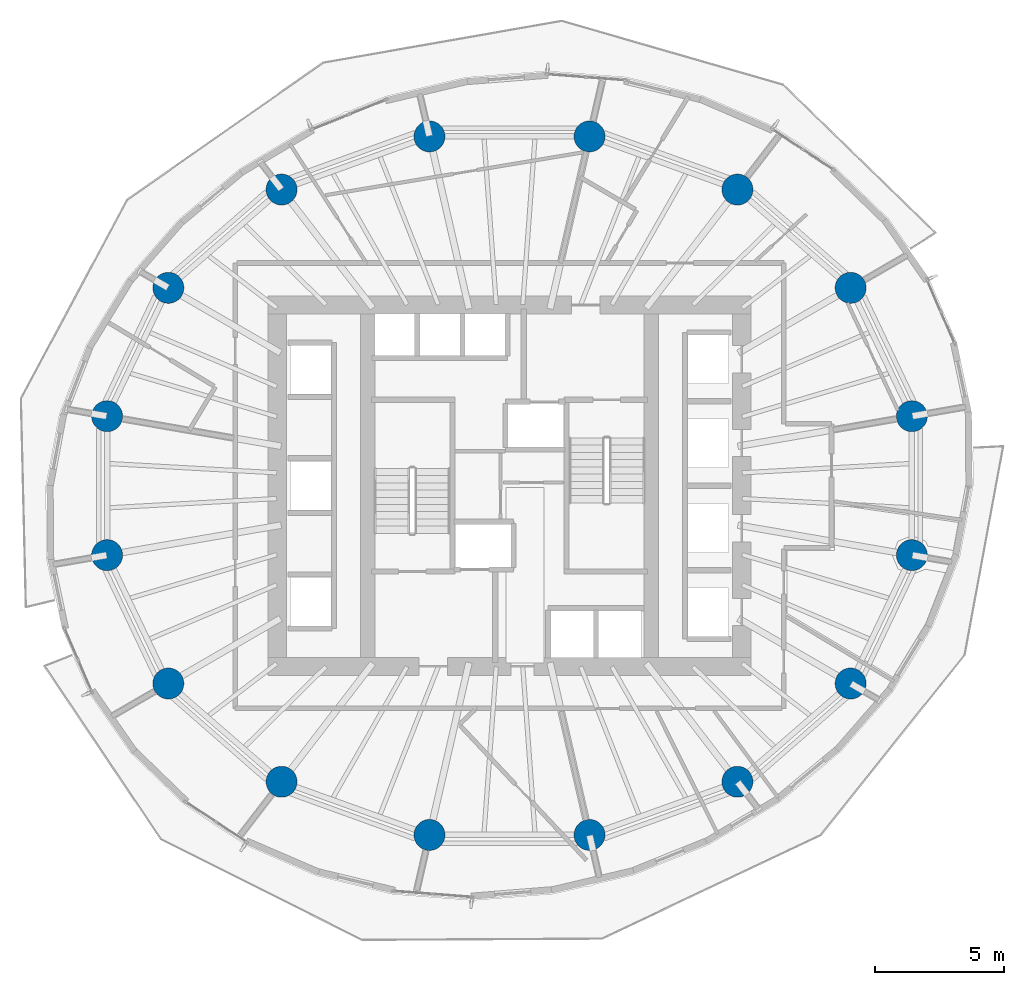
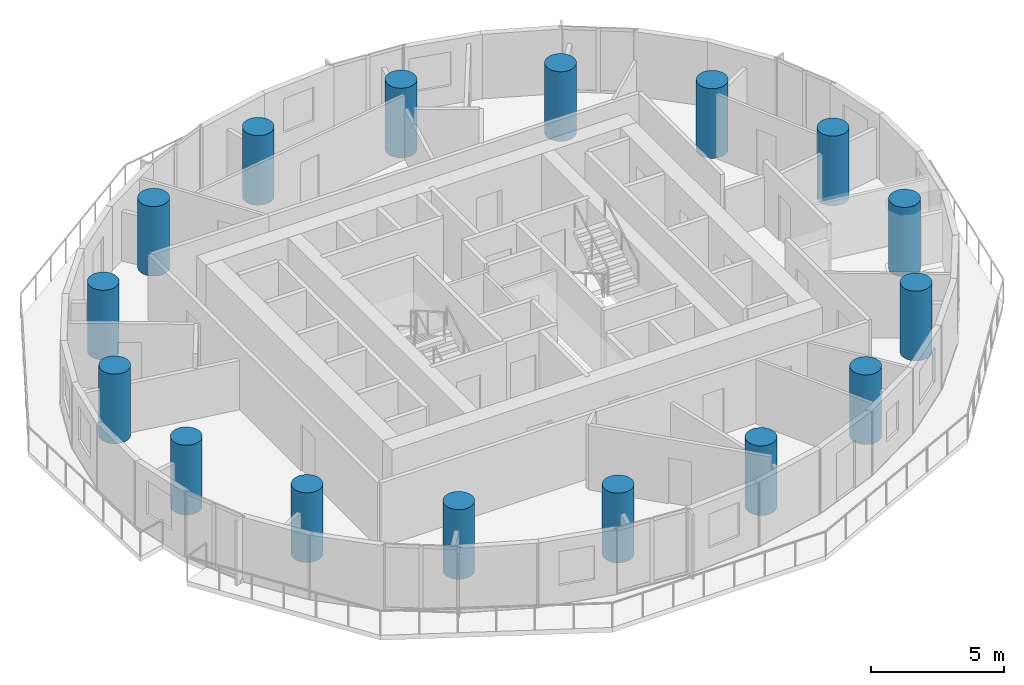
# One storey, part 1 of 14: 16 columns.
"""IFC4 building model written with IfcOpenShell, lengths in metres."""

import ifcopenshell
import ifcopenshell.guid

model = None  # the IFC model being written
_history = None  # IfcOwnerHistory: only IFC2X3 demands one
_inside = {}  # id of a spatial element -> (the spatial element, [elements in it])
_under = {}  # id of a project, library or spatial element -> (it, [spatial elements below it])
_declared = {}  # id of a project -> (the project, [libraries it declares])
_typed = {}  # id of a type object -> (the type object, [elements of that type])
_made_of = {}  # id of a material, layer set ... -> (it, [elements and type objects made of it])


def new_model(schema):
    """Start an empty IFC model of exactly this schema.

    Asked for "IFC4X3", IfcOpenShell would pick the latest addendum, in which some entities
    have other attributes; the version numbers below select the first issue.
    IFC2X3 requires an IfcOwnerHistory on every rooted entity: one is made here for all.
    """
    global model, _history
    if schema == "IFC4X3":
        model = ifcopenshell.file(schema_version=(4, 3, 0, 0))
    else:
        model = ifcopenshell.file(schema=schema)
    _inside.clear()
    _under.clear()
    _declared.clear()
    _typed.clear()
    _made_of.clear()
    _history = None
    if model.schema == "IFC2X3":
        org = make("IfcOrganization", Name="unknown")
        user = make(
            "IfcPersonAndOrganization",
            ThePerson=make("IfcPerson", FamilyName="unknown"),
            TheOrganization=org,
        )
        app = make(
            "IfcApplication",
            ApplicationDeveloper=org,
            Version="unknown",
            ApplicationFullName="unknown",
            ApplicationIdentifier="unknown",
        )
        _history = make(
            "IfcOwnerHistory",
            OwningUser=user,
            OwningApplication=app,
            ChangeAction="ADDED",
            CreationDate=0,
        )
    return model


def make(cls, **values):
    """One entity of the class cls with the attributes given. An attribute that is None is left unset."""
    return model.create_entity(
        cls, **{name: value for name, value in values.items() if value is not None}
    )


def rooted(cls, **values):
    """An entity with a GlobalId (a new one), such as an element, a storey or a relation."""
    return make(cls, GlobalId=ifcopenshell.guid.new(), OwnerHistory=_history, **values)


def si_unit(unit_type, name, prefix=None):
    """IfcSIUnit, for example si_unit("LENGTHUNIT", "METRE", prefix="MILLI")."""
    return make("IfcSIUnit", UnitType=unit_type, Prefix=prefix, Name=name)


def assignment(units):
    """IfcUnitAssignment: the units of a project."""
    return None if units is None else make("IfcUnitAssignment", Units=units)


def point(xyz):
    """IfcCartesianPoint."""
    return None if xyz is None else make("IfcCartesianPoint", Coordinates=xyz)


def direction(xyz):
    """IfcDirection."""
    return None if xyz is None else make("IfcDirection", DirectionRatios=xyz)


def frame(location, z_axis=None, x_axis=None):
    """IfcAxis2Placement3D, a coordinate frame: its origin and axes. An axis left out is left unset."""
    return make(
        "IfcAxis2Placement3D",
        Location=point(location),
        Axis=direction(z_axis),
        RefDirection=direction(x_axis),
    )


def frame_2d(location, x_axis=None):
    """IfcAxis2Placement2D, a coordinate frame in the plane: its origin and x axis."""
    return make(
        "IfcAxis2Placement2D", Location=point(location), RefDirection=direction(x_axis)
    )


def origin():
    """The frame at (0, 0, 0) with its axes left unset."""
    return frame((0.0, 0.0, 0.0))


def origin_2d():
    """The frame at (0, 0) in the plane with its x axis left unset."""
    return frame_2d((0.0, 0.0))


def place(relative_to, where):
    """IfcLocalPlacement: puts the frame where relative to a parent placement (None: the world)."""
    return make(
        "IfcLocalPlacement", PlacementRelTo=relative_to, RelativePlacement=where
    )


def context(
    kind, dimensions, precision=None, world=None, true_north=None, identifier=None
):
    """IfcGeometricRepresentationContext, for example the 3D "Model" context."""
    return make(
        "IfcGeometricRepresentationContext",
        ContextIdentifier=identifier,
        ContextType=kind,
        CoordinateSpaceDimension=dimensions,
        Precision=precision,
        WorldCoordinateSystem=world,
        TrueNorth=true_north,
    )


def subcontext(parent, identifier, kind, view, scale=None):
    """IfcGeometricRepresentationSubContext, for example "Body" below "Model"."""
    return make(
        "IfcGeometricRepresentationSubContext",
        ContextIdentifier=identifier,
        ContextType=kind,
        ParentContext=parent,
        TargetScale=scale,
        TargetView=view,
    )


def project(units=None, contexts=None):
    """IfcProject with its units and contexts."""
    return rooted(
        "IfcProject",
        Name="project",
        RepresentationContexts=contexts,
        UnitsInContext=assignment(units),
    )


def spatial(cls, under=None, at=None, **own):
    """A site, building, storey or space (cls), placed at a placement, below another one or the project."""
    s = rooted(cls, ObjectPlacement=at, **own)
    if under is not None:
        _under.setdefault(under.id(), (under, []))[1].append(s)
    return s


def profile(cls, at=None, kind="AREA", **sizes):
    """A parametric profile (cls). Its sizes go by their IFC names, for example OverallWidth=200.0."""
    return make(cls, ProfileType=kind, Position=at, **sizes)


def circle(**sizes):
    """IfcCircleProfileDef."""
    return profile("IfcCircleProfileDef", **sizes)


def extrude(swept, where, along, depth):
    """IfcExtrudedAreaSolid: the profile swept, set in the frame where, extruded along a direction by depth."""
    return make(
        "IfcExtrudedAreaSolid",
        SweptArea=swept,
        Position=where,
        ExtrudedDirection=direction(along),
        Depth=depth,
    )


def shape(context_of_items, identifier, shape_type, items):
    """IfcShapeRepresentation: the items that make up one representation, for example the "Body"."""
    return make(
        "IfcShapeRepresentation",
        ContextOfItems=context_of_items,
        RepresentationIdentifier=identifier,
        RepresentationType=shape_type,
        Items=items,
    )


def material(Name=None, Category=None):
    """IfcMaterial."""
    return make("IfcMaterial", Name=Name, Category=Category)


def material_profile(
    of_material, cross_section, Name=None, Category=None, Priority=None
):
    """IfcMaterialProfile: a cross section and its material."""
    return make(
        "IfcMaterialProfile",
        Name=Name,
        Material=of_material,
        Profile=cross_section,
        Priority=Priority,
        Category=Category,
    )


def profile_set(profiles, Name=None, composite=None):
    """IfcMaterialProfileSet."""
    return make(
        "IfcMaterialProfileSet",
        Name=Name,
        MaterialProfiles=profiles,
        CompositeProfile=composite,
    )


def made_of(thing, what):
    """Note that an element or type object is made of a material, layer set ...; save() writes the relation."""
    if what is not None:
        _made_of.setdefault(what.id(), (what, []))[1].append(thing)
    return thing


def type_object(cls, material=None, **own):
    """A type object (cls), such as IfcWallType, which elements share."""
    return made_of(rooted(cls, **own), material)


def element(
    cls,
    number,
    at=None,
    inside=None,
    cuts=None,
    type_object=None,
    material=None,
    context=None,
    identifier="Body",
    shape_type=None,
    held_by="IfcProductDefinitionShape",
    body=None,
    shapes=None,
    **own,
):
    """One element of the class cls, such as IfcWall. Its Tag is "e" and its number.

    at: its placement. inside: the storey or other place that contains it. cuts: it is an
    opening in that element (IfcRelVoidsElement). A single representation is given by context,
    identifier, shape_type and body (its items); several are given by shapes. held_by: the class
    of the entity that holds the representations. save() writes the other relations.
    """
    e = rooted(cls, Tag="e%d" % number, ObjectPlacement=at, **own)
    if body is not None:
        shapes = [shape(context, identifier, shape_type, body)]
    if shapes is not None:
        e.Representation = make(held_by, Representations=shapes)
    if inside is not None:
        _inside.setdefault(inside.id(), (inside, []))[1].append(e)
    if cuts is not None:
        rooted(
            "IfcRelVoidsElement", RelatingBuildingElement=cuts, RelatedOpeningElement=e
        )
    if type_object is not None:
        _typed.setdefault(type_object.id(), (type_object, []))[1].append(e)
    return made_of(e, material)


def aggregate(whole, parts):
    """IfcRelAggregates: a whole, such as a stair, and the parts it consists of."""
    return rooted("IfcRelAggregates", RelatingObject=whole, RelatedObjects=parts)


def save(model, path):
    """Write the relations noted so far, then the file.

    IfcRelAggregates (storeys below a building ...), IfcRelContainedInSpatialStructure (elements
    in a storey), IfcRelDefinesByType, IfcRelAssociatesMaterial and IfcRelDeclares: one each for
    every whole, place, type object, material and project.
    """
    for whole, parts in _under.values():
        aggregate(whole, parts)
    for where, things in _inside.values():
        rooted(
            "IfcRelContainedInSpatialStructure",
            RelatedElements=things,
            RelatingStructure=where,
        )
    for kind, things in _typed.values():
        rooted("IfcRelDefinesByType", RelatedObjects=things, RelatingType=kind)
    for what, things in _made_of.values():
        rooted("IfcRelAssociatesMaterial", RelatedObjects=things, RelatingMaterial=what)
    for by, libraries in _declared.values():
        rooted("IfcRelDeclares", RelatingContext=by, RelatedDefinitions=libraries)
    model.write(path)


model = new_model("IFC4")

# Units and contexts
model_context = context("Model", 3, precision=1e-05, world=origin(), true_north=direction((0.0, 1.0)))
body_context = subcontext(model_context, "Body", "Model", "MODEL_VIEW")
ifc_project = project(units=[si_unit("LENGTHUNIT", "METRE"), si_unit("AREAUNIT", "SQUARE_METRE"), si_unit("VOLUMEUNIT", "CUBIC_METRE"), si_unit("PLANEANGLEUNIT", "RADIAN"), si_unit("MASSUNIT", "GRAM", prefix="KILO")], contexts=[model_context])

# Site, building, storey
site_placement = place(None, origin())
site = spatial("IfcSite", under=ifc_project, at=site_placement, CompositionType="ELEMENT")
building_placement = place(site_placement, origin())
building = spatial("IfcBuilding", under=site, at=building_placement, Name="Veldorim Arch Residences", CompositionType="ELEMENT")
storey_placement = place(building_placement, frame((0.0, 0.0, 80.47998046875)))
storey = spatial("IfcBuildingStorey", under=building, at=storey_placement, Name="L23", CompositionType="ELEMENT", Elevation=80.47998046875)

# Columns
ifc_material = material(Name="Concrete C60/75", Category="concrete")
ifc_material_profile = material_profile(ifc_material, circle(Radius=0.60009765625, at=origin_2d()), Name="RC_CIRC_1200")
ifc_profile_set = profile_set([ifc_material_profile], Name="Concrete C60/75")
column_type = type_object("IfcColumnType", Name="Structural Column RC_CIRC_1200", PredefinedType="COLUMN", material=ifc_profile_set)
for number, where, z_axis, x_axis, name in (
    (1, (47.594482421875, 26.692138671875, 0.0), (0.0, 0.0, 1.0), (1.0, 0.0, 0.0), "L23 TC-Z2-01 perimeter column"),
    (2, (45.220458984375, 31.6669921875, 0.0), (0.0, 0.0, 1.0), (1.0, 0.0, 0.0), "L23 TC-Z2-02 perimeter column"),
    (3, (40.83349609375, 35.474365234375, 0.0), (0.0, 0.0, 1.0), (1.0, 0.0, 0.0), "L23 TC-Z2-03 perimeter column"),
    (4, (35.101806640625, 37.534912109375, 0.0), (0.0, 0.0, 1.0), (1.0, 0.0, 0.0), "L23 TC-Z2-04 perimeter column"),
    (5, (28.898193359375, 37.534912109375, 0.0), (0.0, 0.0, 1.0), (1.0, 0.0, 0.0), "L23 TC-Z2-05 perimeter column"),
    (6, (23.16650390625, 35.474365234375, 0.0), (0.0, 0.0, 1.0), (1.0, 0.0, 0.0), "L23 TC-Z2-06 perimeter column"),
    (7, (18.779541015625, 31.6669921875, 0.0), (0.0, 0.0, 1.0), (1.0, 0.0, 0.0), "L23 TC-Z2-07 perimeter column"),
    (8, (16.405517578125, 26.692138671875, 0.0), (0.0, 0.0, 1.0), (1.0, 0.0, 0.0), "L23 TC-Z2-08 perimeter column"),
    (9, (16.405517578125, 21.307861328125, 0.0), (0.0, 0.0, 1.0), (1.0, 0.0, 0.0), "L23 TC-Z2-09 perimeter column"),
    (10, (18.779541015625, 16.3330078125, 0.0), (0.0, 0.0, 1.0), (1.0, 0.0, 0.0), "L23 TC-Z2-10 perimeter column"),
    (11, (23.16650390625, 12.525634765625, 0.0), (0.0, 0.0, 1.0), (1.0, 0.0, 0.0), "L23 TC-Z2-11 perimeter column"),
    (12, (28.898193359375, 10.465087890625, 0.0), (0.0, 0.0, 1.0), (1.0, 0.0, 0.0), "L23 TC-Z2-12 perimeter column"),
    (13, (35.101806640625, 10.465087890625, 0.0), (0.0, 0.0, 1.0), (1.0, 0.0, 0.0), "L23 TC-Z2-13 perimeter column"),
    (14, (40.83349609375, 12.525634765625, 0.0), (0.0, 0.0, 1.0), (1.0, 0.0, 0.0), "L23 TC-Z2-14 perimeter column"),
    (15, (45.220458984375, 16.3330078125, 0.0), (0.0, 0.0, 1.0), (1.0, 0.0, 0.0), "L23 TC-Z2-15 perimeter column"),
    (16, (47.594482421875, 21.307861328125, 0.0), (0.0, 0.0, 1.0), (1.0, 0.0, 0.0), "L23 TC-Z2-16 perimeter column"),
):
    element("IfcColumn", number, at=place(storey_placement, frame(where, z_axis=z_axis, x_axis=x_axis)), inside=storey, type_object=column_type, Name=name, PredefinedType="COLUMN", context=body_context, shape_type="SweptSolid", body=[
        extrude(circle(Radius=0.60009765625, at=origin_2d()), origin(), (0.0, 0.0, 1.0), 3.199951171875),
    ])

save(model, "model.ifc")
